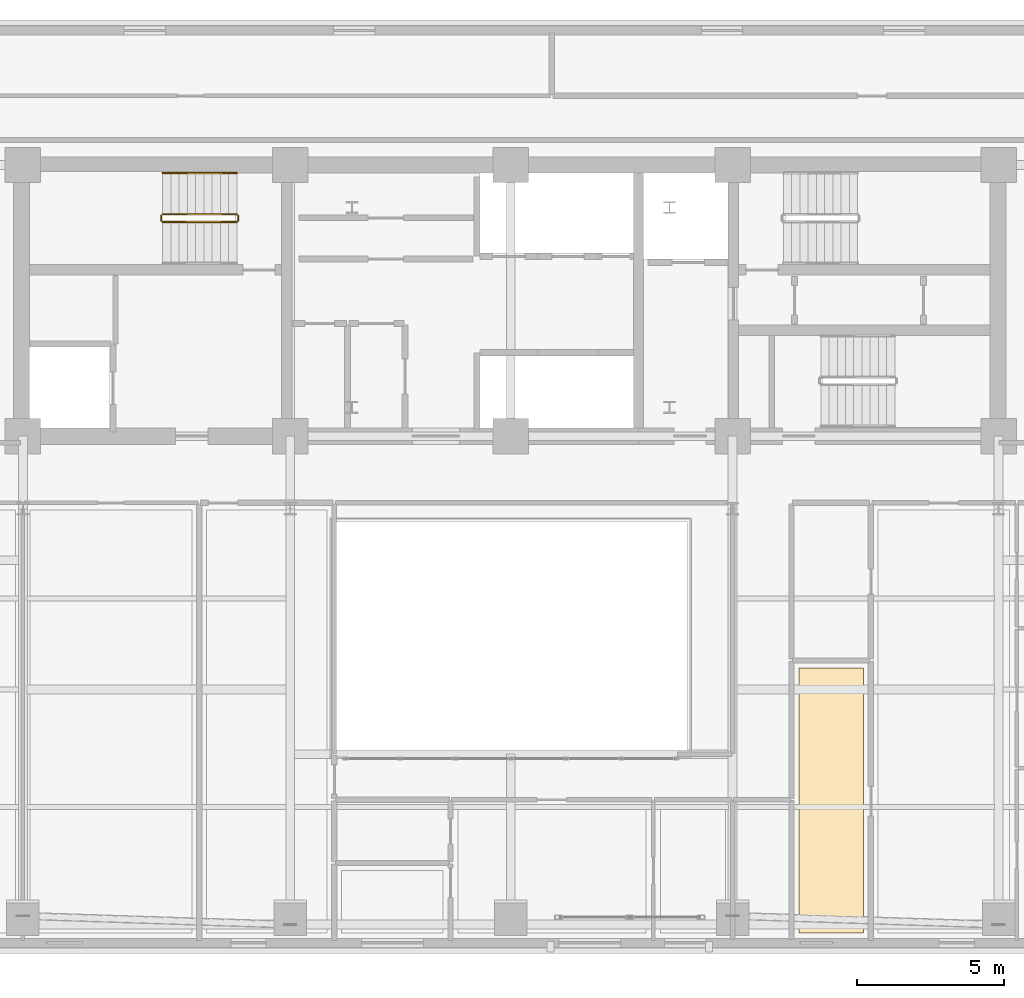
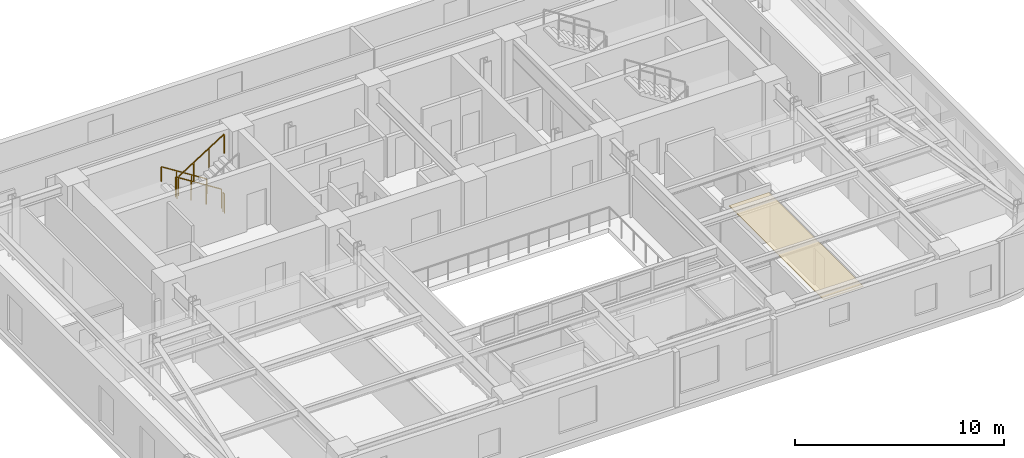
# One storey, part 12 of 13: 5 railings, 1 covering.
"""IFC4 building model written with IfcOpenShell, lengths in metres."""

from ifc_helpers import new_model, si_unit, direction, frame, origin, origin_2d, place, context, subcontext, project, spatial, polyline, rectangle, outline, extrude, material, layer, layer_set, type_object, element, save


model = new_model("IFC4")

# Units and contexts
model_context = context("Model", 3, precision=1e-05, world=origin(), true_north=direction((0.0, 1.0)))
body_context = subcontext(model_context, "Body", "Model", "MODEL_VIEW")
ifc_project = project(units=[si_unit("LENGTHUNIT", "METRE"), si_unit("AREAUNIT", "SQUARE_METRE"), si_unit("VOLUMEUNIT", "CUBIC_METRE"), si_unit("PLANEANGLEUNIT", "RADIAN"), si_unit("MASSUNIT", "GRAM", prefix="KILO")], contexts=[model_context])

# Site, building, storey
site_placement = place(None, origin())
site = spatial("IfcSite", under=ifc_project, at=site_placement, CompositionType="ELEMENT")
building_placement = place(site_placement, origin())
building = spatial("IfcBuilding", under=site, at=building_placement, Name="Zarnavel Station Tower", CompositionType="ELEMENT")
storey_placement = place(building_placement, frame((0.0, 0.0, 162.550048828125)))
storey = spatial("IfcBuildingStorey", under=building, at=storey_placement, Name="L44", CompositionType="ELEMENT", Elevation=162.550048828125)

# Covering
ifc_material_1 = material(Name="Perforated Gypsum and Mineral-Wool Acoustic Ceiling", Category="concrete")
ifc_layer = layer(ifc_material_1, 0.0400390625)
ifc_layer_set = layer_set([ifc_layer], Name="COV_CEIL_ACOUSTIC")
covering_type = type_object("IfcCoveringType", Name="COV_CEIL_ACOUSTIC", PredefinedType="CEILING", material=ifc_layer_set)
covering_placement = place(storey_placement, frame((0.0, 0.0, 2.969970703125)))
element("IfcCovering", 1, at=covering_placement, inside=storey, type_object=covering_type, Name="L44 UE1KT Acoustic Ceiling", PredefinedType="CEILING", context=body_context, shape_type="SweptSolid", body=[
    extrude(outline(polyline([(38.60009765625, 10.909912109375), (40.800048828125, 10.909912109375), (40.800048828125, 19.93994140625), (38.60009765625, 19.93994140625), (38.60009765625, 10.909912109375)])), origin(), (0.0, 0.0, 1.0), 0.0400390625),
])

# Railings
ifc_material_2 = material(Name="Painted Steel S355J2 Balustrade", Category="steel")
railing_type_1 = type_object("IfcRailingType", Name="GR_INT_1150", PredefinedType="GUARDRAIL", material=ifc_material_2)
railing_1_placement = place(storey_placement, frame((19.47998046875, 35.3701171875, 0.177490234375)))
element("IfcRailing", 2, at=railing_1_placement, inside=storey, type_object=railing_type_1, Name="L44 ST1 stair guard 1", PredefinedType="GUARDRAIL", context=body_context, shape_type="SweptSolid", body=[
    extrude(rectangle(XDim=0.048095703125, YDim=0.048095703125, at=origin_2d()), frame((-0.001708984375, 0.0, 1.126953125), z_axis=(-0.84460694969, 0.0, 0.535386869969), x_axis=(0.0, -1.0, 0.0)), (0.0, 0.0, 1.0), 2.979736328125),
    extrude(rectangle(XDim=0.0419921875, YDim=0.0419921875, at=origin_2d()), origin(), (0.0, 0.0, 1.0), 1.101806640625),
    extrude(rectangle(XDim=0.0419921875, YDim=0.0419921875, at=origin_2d()), frame((-0.840087890625, 0.0, 0.532470703125)), (0.0, 0.0, 1.0), 1.101806640625),
    extrude(rectangle(XDim=0.0419921875, YDim=0.0419921875, at=origin_2d()), frame((-1.679931640625, 0.0, 1.06494140625)), (0.0, 0.0, 1.0), 1.101806640625),
    extrude(rectangle(XDim=0.0419921875, YDim=0.0419921875, at=origin_2d()), frame((-2.52001953125, 0.0, 1.597412109375)), (0.0, 0.0, 1.0), 1.101806640625),
])
railing_2_placement = place(storey_placement, frame((16.909912109375, 35.320068359375, 1.77490234375)))
element("IfcRailing", 3, at=railing_2_placement, inside=storey, type_object=railing_type_1, Name="L44 ST1 stair guard 2", PredefinedType="GUARDRAIL", context=body_context, shape_type="SweptSolid", body=[
    extrude(rectangle(XDim=0.048095703125, YDim=0.048095703125, at=origin_2d()), frame((0.0, -0.001953125, 1.1259765625), z_axis=(0.0, -1.0, 0.0), x_axis=(1.0, 0.0, 0.0)), (0.0, 0.0, 1.0), 0.15625),
    extrude(rectangle(XDim=0.0419921875, YDim=0.0419921875, at=origin_2d()), origin(), (0.0, 0.0, 1.0), 1.101806640625),
    extrude(rectangle(XDim=0.0419921875, YDim=0.0419921875, at=origin_2d()), frame((0.0, -0.16015625, 0.0)), (0.0, 0.0, 1.0), 1.101806640625),
])
railing_3_placement = place(storey_placement, frame((16.9599609375, 35.110107421875, 1.952392578125)))
element("IfcRailing", 4, at=railing_3_placement, inside=storey, type_object=railing_type_1, Name="L44 ST1 stair guard 3", PredefinedType="GUARDRAIL", context=body_context, shape_type="SweptSolid", body=[
    extrude(rectangle(XDim=0.048095703125, YDim=0.048095703125, at=origin_2d()), frame((0.001708984375, 0.0, 1.126953125), z_axis=(0.84456994832, 0.0, 0.535445237532), x_axis=(0.0, 1.0, 0.0)), (0.0, 0.0, 1.0), 2.979736328125),
    extrude(rectangle(XDim=0.0419921875, YDim=0.0419921875, at=origin_2d()), origin(), (0.0, 0.0, 1.0), 1.101806640625),
    extrude(rectangle(XDim=0.0419921875, YDim=0.0419921875, at=origin_2d()), frame((0.840087890625, 0.0, 0.532470703125)), (0.0, 0.0, 1.0), 1.101806640625),
    extrude(rectangle(XDim=0.0419921875, YDim=0.0419921875, at=origin_2d()), frame((1.679931640625, 0.0, 1.065185546875)), (0.0, 0.0, 1.0), 1.101806640625),
    extrude(rectangle(XDim=0.0419921875, YDim=0.0419921875, at=origin_2d()), frame((2.52001953125, 0.0, 1.59765625)), (0.0, 0.0, 1.0), 1.101806640625),
])
railing_4_placement = place(storey_placement, frame((19.530029296875, 35.320068359375, 0.0)))
element("IfcRailing", 5, at=railing_4_placement, inside=storey, type_object=railing_type_1, Name="L44 ST1 stair guard 4", PredefinedType="GUARDRAIL", context=body_context, shape_type="SweptSolid", body=[
    extrude(rectangle(XDim=0.048095703125, YDim=0.048095703125, at=origin_2d()), frame((0.0, -0.001953125, 1.1259765625), z_axis=(0.0, -1.0, 0.0), x_axis=(1.0, 0.0, 0.0)), (0.0, 0.0, 1.0), 0.15625),
    extrude(rectangle(XDim=0.0419921875, YDim=0.0419921875, at=origin_2d()), origin(), (0.0, 0.0, 1.0), 1.101806640625),
    extrude(rectangle(XDim=0.0419921875, YDim=0.0419921875, at=origin_2d()), frame((0.0, -0.16015625, 0.0)), (0.0, 0.0, 1.0), 1.101806640625),
])
ifc_material_3 = material(Name="Brushed Stainless Steel S355J2 Handrail", Category="steel")
railing_type_2 = type_object("IfcRailingType", Name="HR_STAIR_900", PredefinedType="HANDRAIL", material=ifc_material_3)
railing_5_placement = place(storey_placement, frame((19.47998046875, 36.77001953125, 0.177490234375)))
element("IfcRailing", 6, at=railing_5_placement, inside=storey, type_object=railing_type_2, Name="L44 ST1 stair handrail 1", PredefinedType="HANDRAIL", context=body_context, shape_type="SweptSolid", body=[
    extrude(rectangle(XDim=0.048095703125, YDim=0.048095703125, at=origin_2d()), frame((-0.001708984375, 0.0, 0.876953125), z_axis=(-0.84460694969, 0.0, 0.535386869969), x_axis=(0.0, -1.0, 0.0)), (0.0, 0.0, 1.0), 2.979736328125),
    extrude(rectangle(XDim=0.0419921875, YDim=0.0419921875, at=origin_2d()), origin(), (0.0, 0.0, 1.0), 0.851806640625),
    extrude(rectangle(XDim=0.0419921875, YDim=0.0419921875, at=origin_2d()), frame((-0.840087890625, 0.0, 0.532470703125)), (0.0, 0.0, 1.0), 0.851806640625),
    extrude(rectangle(XDim=0.0419921875, YDim=0.0419921875, at=origin_2d()), frame((-1.679931640625, 0.0, 1.06494140625)), (0.0, 0.0, 1.0), 0.851806640625),
    extrude(rectangle(XDim=0.0419921875, YDim=0.0419921875, at=origin_2d()), frame((-2.52001953125, 0.0, 1.597412109375)), (0.0, 0.0, 1.0), 0.851806640625),
])

save(model, "model.ifc")
